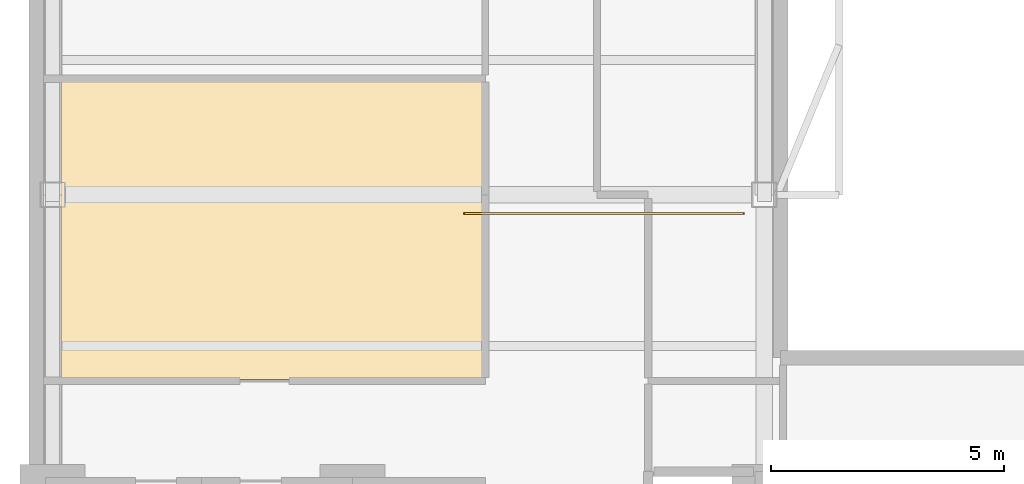
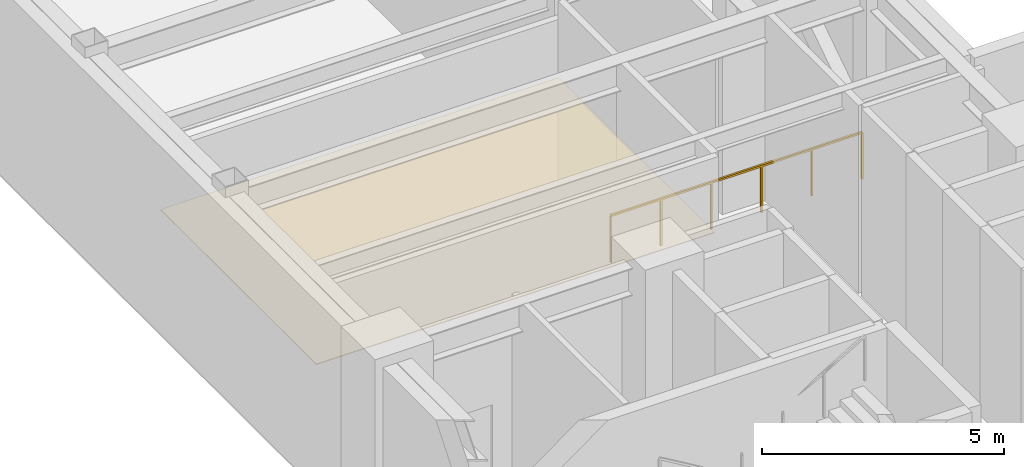
# One storey, part 7 of 7: 1 covering, 1 railing.
"""IFC4 building model written with IfcOpenShell, lengths in metres."""

from ifc_helpers import new_model, si_unit, direction, frame, origin, origin_2d, place, context, subcontext, project, spatial, polyline, rectangle, outline, extrude, material, layer, layer_set, type_object, element, save


model = new_model("IFC4")

# Units and contexts
model_context = context("Model", 3, precision=1e-05, world=origin(), true_north=direction((0.0, 1.0)))
body_context = subcontext(model_context, "Body", "Model", "MODEL_VIEW")
ifc_project = project(units=[si_unit("LENGTHUNIT", "METRE"), si_unit("AREAUNIT", "SQUARE_METRE"), si_unit("VOLUMEUNIT", "CUBIC_METRE"), si_unit("PLANEANGLEUNIT", "RADIAN"), si_unit("MASSUNIT", "GRAM", prefix="KILO")], contexts=[model_context])

# Site, building, storey
site_placement = place(None, origin())
site = spatial("IfcSite", under=ifc_project, at=site_placement, CompositionType="ELEMENT")
building_placement = place(site_placement, origin())
building = spatial("IfcBuilding", under=site, at=building_placement, Name="Mawjaban Terraces University", CompositionType="ELEMENT")
storey_placement = place(building_placement, frame((0.0, 0.0, 93.39990234375)))
storey = spatial("IfcBuildingStorey", under=building, at=storey_placement, Name="L22", CompositionType="ELEMENT", Elevation=93.39990234375)

# Covering
ifc_material_1 = material(Name="Acoustic mineral fibre ceiling tile", Category="masonry")
ifc_layer = layer(ifc_material_1, 0.02001953125)
ifc_layer_set = layer_set([ifc_layer], Name="Acoustic mineral fibre ceiling tile")
covering_type = type_object("IfcCoveringType", Name="AcousticMineralCeiling_20", PredefinedType="CEILING", material=ifc_layer_set)
covering_placement = place(storey_placement, frame((0.0, 0.0, 2.75)))
element("IfcCovering", 1, at=covering_placement, inside=storey, type_object=covering_type, Name="L22 Designated Smoke-Protected Refuge Area North Acoustic Ceiling", PredefinedType="CEILING", context=body_context, shape_type="SweptSolid", body=[
    extrude(outline(polyline([(22.114990234375, 26.030029296875), (31.6201171875, 26.030029296875), (31.6201171875, 32.469970703125), (22.114990234375, 32.469970703125), (22.114990234375, 26.030029296875)])), origin(), (0.0, 0.0, 1.0), 0.02001953125),
])

# Railing
ifc_material_2 = material(Name="Galvanised powder-coated steel S355", Category="steel")
railing_type = type_object("IfcRailingType", Name="TerraceGuardrail_1200", PredefinedType="GUARDRAIL", material=ifc_material_2)
railing_placement = place(storey_placement, frame((31.199951171875, 29.60009765625, 0.0)))
element("IfcRailing", 2, at=railing_placement, inside=storey, type_object=railing_type, Name="L22 Open-Band Refuge Guardrail North", PredefinedType="GUARDRAIL", context=body_context, shape_type="SweptSolid", body=[
    extrude(rectangle(XDim=0.048095703125, YDim=0.048095703125, at=origin_2d()), frame((0.0, 0.0, 1.17578125), z_axis=(1.0, 0.0, 0.0), x_axis=(0.0, 1.0, 0.0)), (0.0, 0.0, 1.0), 6.0),
    extrude(rectangle(XDim=0.0419921875, YDim=0.0419921875, at=origin_2d()), origin(), (0.0, 0.0, 1.0), 1.15185546875),
    extrude(rectangle(XDim=0.0419921875, YDim=0.0419921875, at=origin_2d()), frame((1.199951171875, 0.0, 0.0)), (0.0, 0.0, 1.0), 1.15185546875),
    extrude(rectangle(XDim=0.0419921875, YDim=0.0419921875, at=origin_2d()), frame((2.39990234375, 0.0, 0.0)), (0.0, 0.0, 1.0), 1.15185546875),
    extrude(rectangle(XDim=0.0419921875, YDim=0.0419921875, at=origin_2d()), frame((3.60009765625, 0.0, 0.0)), (0.0, 0.0, 1.0), 1.15185546875),
    extrude(rectangle(XDim=0.0419921875, YDim=0.0419921875, at=origin_2d()), frame((4.800048828125, 0.0, 0.0)), (0.0, 0.0, 1.0), 1.15185546875),
    extrude(rectangle(XDim=0.0419921875, YDim=0.0419921875, at=origin_2d()), frame((6.0, 0.0, 0.0)), (0.0, 0.0, 1.0), 1.15185546875),
])

save(model, "model.ifc")
